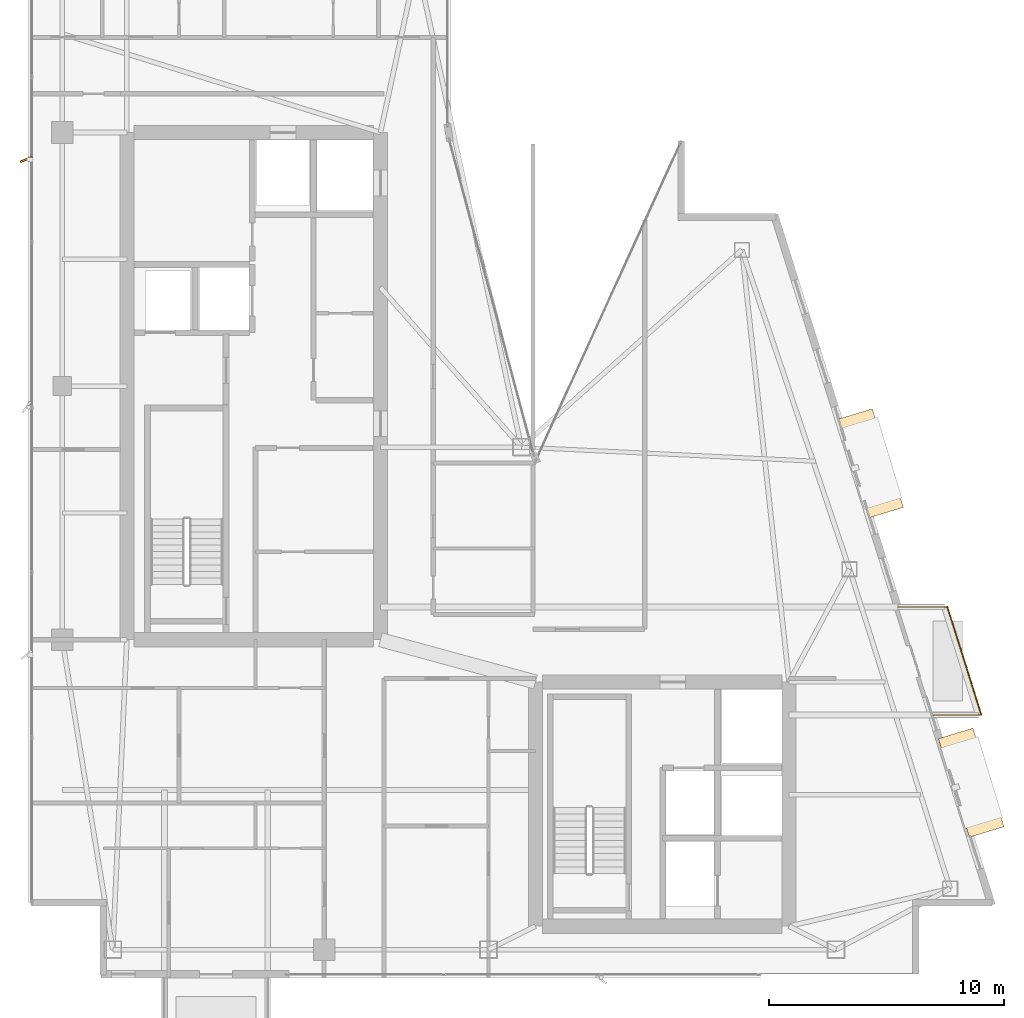
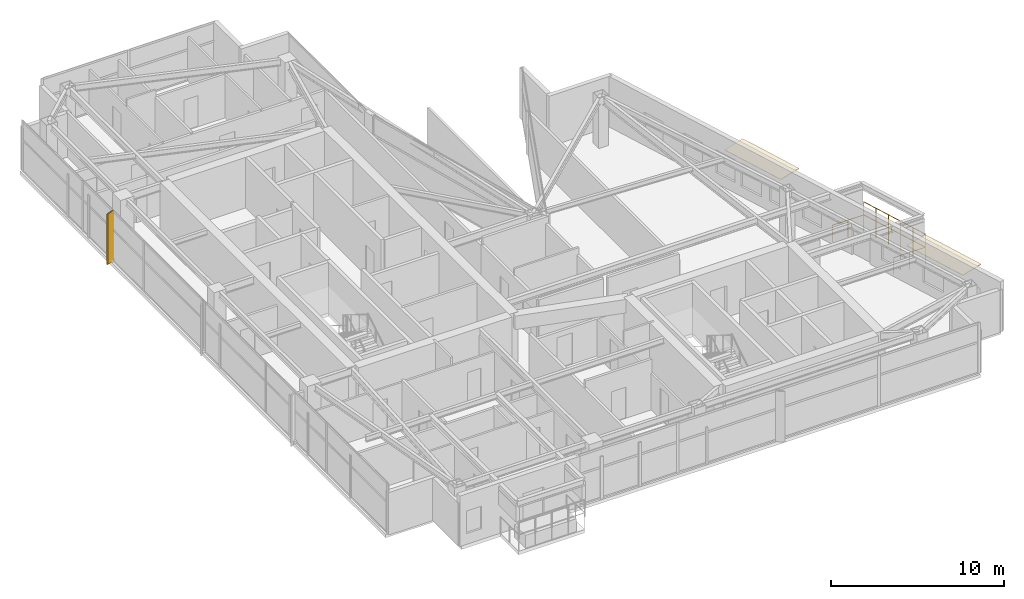
# One storey, part 27 of 27: 2 coverings, 2 railings, 1 shading device.
"""IFC4 building model written with IfcOpenShell, lengths in metres."""

from ifc_helpers import new_model, si_unit, direction, frame, origin, origin_2d, place, context, subcontext, project, spatial, polyline, rectangle, circle, outline, extrude, material, layer, layer_set, type_object, element, save


model = new_model("IFC4")

# Units and contexts
model_context = context("Model", 3, precision=1e-05, world=origin(), true_north=direction((0.0, 1.0)))
body_context = subcontext(model_context, "Body", "Model", "MODEL_VIEW")
ifc_project = project(units=[si_unit("LENGTHUNIT", "METRE"), si_unit("AREAUNIT", "SQUARE_METRE"), si_unit("VOLUMEUNIT", "CUBIC_METRE"), si_unit("PLANEANGLEUNIT", "RADIAN"), si_unit("MASSUNIT", "GRAM", prefix="KILO")], contexts=[model_context])

# Site, building, storey
site_placement = place(None, origin())
site = spatial("IfcSite", under=ifc_project, at=site_placement, CompositionType="ELEMENT")
building_placement = place(site_placement, origin())
building = spatial("IfcBuilding", under=site, at=building_placement, Name="Calvorn Quay Hotel", CompositionType="ELEMENT")
storey_placement = place(building_placement, frame((0.0, 0.0, 294.89990234375)))
storey = spatial("IfcBuildingStorey", under=building, at=storey_placement, Name="L73", CompositionType="ELEMENT", Elevation=294.89990234375)

# Coverings
ifc_material_1 = material(Name="Pale Anodised Aluminium Rainscreen Cladding", Category="aluminium")
ifc_layer = layer(ifc_material_1, 0.044921875)
ifc_layer_set = layer_set([ifc_layer], Name="COV-CROWN-CLAD")
covering_type = type_object("IfcCoveringType", Name="COV-CROWN-CLAD", PredefinedType="CLADDING", material=ifc_layer_set)
covering_1_placement = place(storey_placement, frame((0.0, 0.0, 2.505126953125)))
element("IfcCovering", 1, at=covering_1_placement, inside=storey, type_object=covering_type, Name="Angled Bay Hood Canopy L73-HOOD-1", PredefinedType="CLADDING", context=body_context, shape_type="SweptSolid", body=[
    extrude(outline(polyline([(38.757080078125, 12.587890625), (40.22998046875, 13.034912109375), (41.552978515625, 8.8349609375), (40.080078125, 8.387939453125), (38.757080078125, 12.587890625)])), origin(), (0.0, 0.0, 1.0), 0.044921875),
])
covering_2_placement = place(storey_placement, frame((0.0, 0.0, 2.505126953125)))
element("IfcCovering", 2, at=covering_2_placement, inside=storey, type_object=covering_type, Name="Angled Bay Hood Canopy L73-HOOD-3", PredefinedType="CLADDING", context=body_context, shape_type="SweptSolid", body=[
    extrude(outline(polyline([(34.471923828125, 26.18798828125), (35.945068359375, 26.635009765625), (37.26806640625, 22.43505859375), (35.794921875, 21.988037109375), (34.471923828125, 26.18798828125)])), origin(), (0.0, 0.0, 1.0), 0.044921875),
])

# Railings
ifc_material_2 = material(Name="Pale Anodised Aluminium and Laminated Glass", Category="aluminium")
railing_type = type_object("IfcRailingType", Name="RLG-BALUSTRADE-1200", PredefinedType="BALUSTRADE", material=ifc_material_2)
railing_1_placement = place(storey_placement, frame((38.489013671875, 13.60009765625, 0.0)))
element("IfcRailing", 3, at=railing_1_placement, inside=storey, type_object=railing_type, Name="Tree Balcony Perimeter Balustrade L73-BALC-E", PredefinedType="BALUSTRADE", context=body_context, shape_type="SweptSolid", body=[
    extrude(circle(Radius=0.02392578125, at=origin_2d()), frame((0.0, 0.0, 1.17578125), z_axis=(1.0, 0.0, 0.0), x_axis=(0.0, 1.0, 0.0)), (0.0, 0.0, 1.0), 2.10009765625),
    extrude(circle(Radius=0.02392578125, at=origin_2d()), frame((2.10009765625, 0.0, 1.17578125), z_axis=(-0.30049654061, 0.953782904587, 0.0), x_axis=(-0.953782904587, -0.30049654061, 0.0)), (0.0, 0.0, 1.0), 4.82275390625),
    extrude(circle(Radius=0.02392578125, at=origin_2d()), frame((0.65087890625, 4.599853515625, 1.17578125), z_axis=(-1.0, 0.0, 0.0), x_axis=(0.0, -1.0, 0.0)), (0.0, 0.0, 1.0), 2.099853515625),
    extrude(circle(Radius=0.02099609375, at=origin_2d()), origin(), (0.0, 0.0, 1.0), 1.15185546875),
    extrude(circle(Radius=0.02099609375, at=origin_2d()), frame((1.050048828125, 0.0, 0.0)), (0.0, 0.0, 1.0), 1.15185546875),
    extrude(circle(Radius=0.02099609375, at=origin_2d()), frame((2.10009765625, 0.0, 0.0)), (0.0, 0.0, 1.0), 1.15185546875),
    extrude(circle(Radius=0.02099609375, at=origin_2d()), frame((1.810302734375, 0.919921875, 0.0)), (0.0, 0.0, 1.0), 1.15185546875),
    extrude(circle(Radius=0.02099609375, at=origin_2d()), frame((1.5205078125, 1.83984375, 0.0)), (0.0, 0.0, 1.0), 1.15185546875),
    extrude(circle(Radius=0.02099609375, at=origin_2d()), frame((1.23046875, 2.760009765625, 0.0)), (0.0, 0.0, 1.0), 1.15185546875),
    extrude(circle(Radius=0.02099609375, at=origin_2d()), frame((0.940673828125, 3.679931640625, 0.0)), (0.0, 0.0, 1.0), 1.15185546875),
    extrude(circle(Radius=0.02099609375, at=origin_2d()), frame((0.65087890625, 4.599853515625, 0.0)), (0.0, 0.0, 1.0), 1.15185546875),
    extrude(circle(Radius=0.02099609375, at=origin_2d()), frame((-0.39892578125, 4.599853515625, 0.0)), (0.0, 0.0, 1.0), 1.15185546875),
    extrude(circle(Radius=0.02099609375, at=origin_2d()), frame((-1.448974609375, 4.599853515625, 0.0)), (0.0, 0.0, 1.0), 1.15185546875),
])
railing_2_placement = place(storey_placement, frame((40.589111328125, 13.60009765625, 0.900146484375)))
element("IfcRailing", 4, at=railing_2_placement, inside=storey, type_object=railing_type, Name="Planter Kerb High Safety Screen L73-BALC-E", PredefinedType="BALUSTRADE", context=body_context, shape_type="SweptSolid", body=[
    extrude(circle(Radius=0.02392578125, at=origin_2d()), frame((0.0, 0.0, 1.19580078125), z_axis=(-0.30049654061, 0.953782904587, 0.0), x_axis=(-0.953782904587, -0.30049654061, 0.0)), (0.0, 0.0, 1.0), 4.82275390625),
    extrude(circle(Radius=0.02099609375, at=origin_2d()), origin(), (0.0, 0.0, 1.0), 1.171875),
    extrude(circle(Radius=0.02099609375, at=origin_2d()), frame((-0.289794921875, 0.919921875, 0.0)), (0.0, 0.0, 1.0), 1.171875),
    extrude(circle(Radius=0.02099609375, at=origin_2d()), frame((-0.57958984375, 1.83984375, 0.0)), (0.0, 0.0, 1.0), 1.171875),
    extrude(circle(Radius=0.02099609375, at=origin_2d()), frame((-0.86962890625, 2.760009765625, 0.0)), (0.0, 0.0, 1.0), 1.171875),
    extrude(circle(Radius=0.02099609375, at=origin_2d()), frame((-1.159423828125, 3.679931640625, 0.0)), (0.0, 0.0, 1.0), 1.171875),
    extrude(circle(Radius=0.02099609375, at=origin_2d()), frame((-1.44921875, 4.599853515625, 0.0)), (0.0, 0.0, 1.0), 1.171875),
])

# Shading device
ifc_material_3 = material(Name="Champagne Bronze Anodised Aluminium 6063-T6", Category="aluminium")
shading_device_type = type_object("IfcShadingDeviceType", Name="SHD-FIN-A1", PredefinedType="USERDEFINED", material=ifc_material_3)
shading_device_placement = place(storey_placement, frame((-0.080078125, 37.25, 0.0), z_axis=(0.0, 0.0, 1.0), x_axis=(0.927183854567, 0.374606593416, 0.0)))
element("IfcShadingDevice", 5, at=shading_device_placement, inside=storey, type_object=shading_device_type, Name="Diagonal Sun-Shading Fin L73-W03", ObjectType="FIN", PredefinedType="USERDEFINED", context=body_context, shape_type="SweptSolid", body=[
    extrude(rectangle(XDim=0.550048828125, YDim=0.080078125, at=origin_2d()), origin(), (0.0, 0.0, 1.0), 3.56005859375),
])

save(model, "model.ifc")
